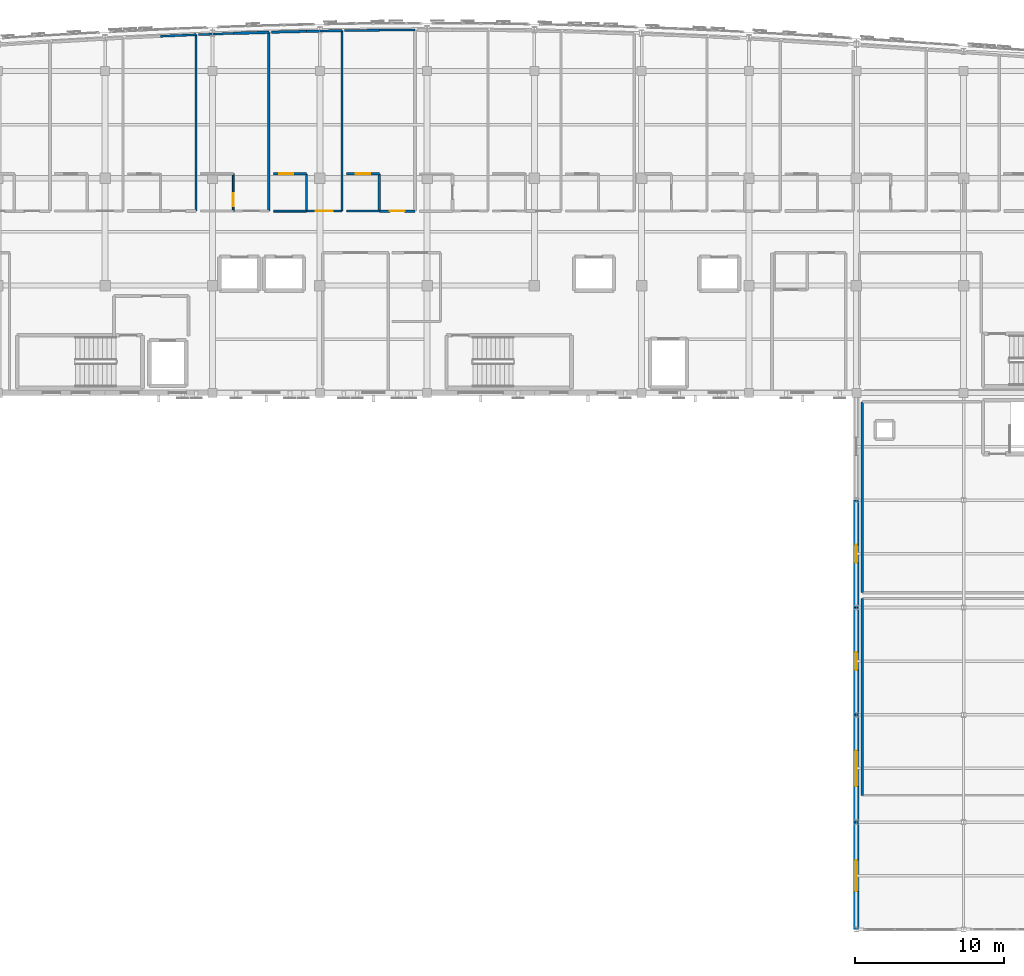
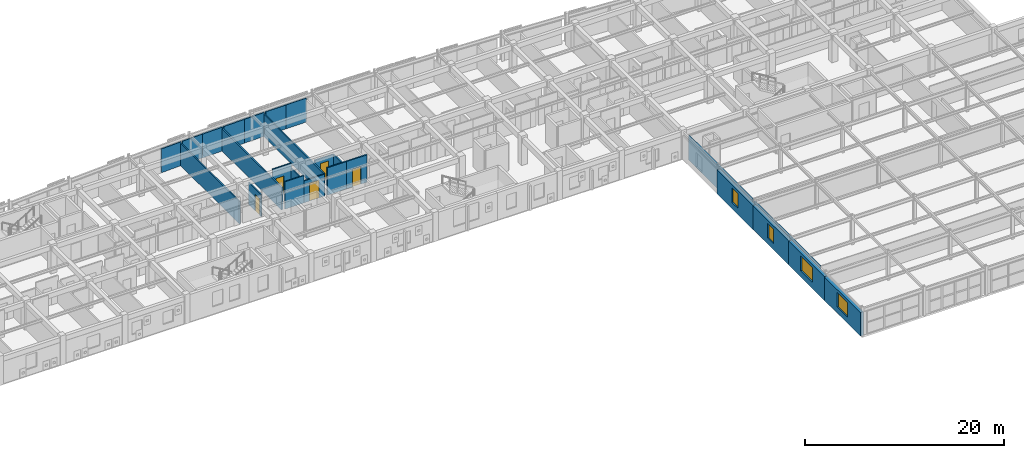
# One storey, part 61 of 73: 25 walls, 5 doors, 4 windows, 9 openings.
"""IFC4 building model written with IfcOpenShell, lengths in metres."""

from ifc_helpers import new_model, si_unit, direction, frame, frame_2d, origin, place, context, subcontext, project, spatial, rectangle, extrude, material, layer, layer_set, type_object, element, fill, save


model = new_model("IFC4")

# Units and contexts
model_context = context("Model", 3, precision=1e-05, world=origin(), true_north=direction((0.0, 1.0)))
body_context = subcontext(model_context, "Body", "Model", "MODEL_VIEW")
ifc_project = project(units=[si_unit("LENGTHUNIT", "METRE"), si_unit("AREAUNIT", "SQUARE_METRE"), si_unit("VOLUMEUNIT", "CUBIC_METRE"), si_unit("PLANEANGLEUNIT", "RADIAN"), si_unit("MASSUNIT", "GRAM", prefix="KILO")], contexts=[model_context])

# Site, building, storey
site_placement = place(None, origin())
site = spatial("IfcSite", under=ifc_project, at=site_placement, CompositionType="ELEMENT")
building_placement = place(site_placement, origin())
building = spatial("IfcBuilding", under=site, at=building_placement, Name="Carrowvane Square Congress Hotel", CompositionType="ELEMENT")
storey_placement = place(building_placement, frame((0.0, 0.0, 19.199951171875)))
storey = spatial("IfcBuildingStorey", under=building, at=storey_placement, Name="L04", CompositionType="ELEMENT", Elevation=19.199951171875)

# Wall, opening, window
ifc_material_1 = material(Name="Glazed terracotta rainscreen", Category="masonry")
ifc_layer_1 = layer(ifc_material_1, 0.360107421875)
ifc_layer_set_1 = layer_set([ifc_layer_1], Name="Glazed terracotta rainscreen")
wall_type_1 = type_object("IfcWallType", Name="WL-EXT-TC360", PredefinedType="STANDARD", material=ifc_layer_set_1)
wall_1_placement = place(storey_placement, frame((126.800048828125, 55.800048828125, 0.0), z_axis=(0.0, 0.0, 1.0), x_axis=(0.0, 1.0, 0.0)))
wall_1 = element("IfcWall", 1, at=wall_1_placement, inside=storey, type_object=wall_type_1, Name="L04 exterior facade wall 433", PredefinedType="STANDARD", context=body_context, shape_type="SweptSolid", body=[
    extrude(rectangle(XDim=7.199951171875, YDim=0.360107421875, at=frame_2d((3.60009765625, 0.0))), origin(), (0.0, 0.0, 1.0), 2.875),
])
opening_1_placement = place(wall_1_placement, frame((2.550048828125, 0.0, 0.75)))
opening_1 = element("IfcOpeningElement", 2, at=opening_1_placement, cuts=wall_1, Name="Opening W-06", PredefinedType="OPENING", context=body_context, shape_type="SweptSolid", body=[
    extrude(rectangle(XDim=2.10009765625, YDim=1.800048828125, at=frame_2d((1.050048828125, 0.89990234375))), frame((0.0, 0.18994140625, 0.0), z_axis=(0.0, -1.0, 0.0), x_axis=(1.0, 0.0, 0.0)), (0.0, 0.0, 1.0), 0.380126953125),
])
ifc_material_2 = material(Name="Double-glazed low-E glass", Category="glass")
window_type_1 = type_object("IfcWindowType", Name="WIN-06", PartitioningType="SINGLE_PANEL", PredefinedType="WINDOW", material=ifc_material_2)
window_1_placement = place(opening_1_placement, origin())
window_1 = element("IfcWindow", 3, at=window_1_placement, inside=storey, type_object=window_type_1, Name="L04 facade window 260", OverallHeight=1.800048828125, OverallWidth=2.10009765625, PartitioningType="SINGLE_PANEL", PredefinedType="WINDOW", context=body_context, shape_type="SweptSolid", body=[
    extrude(rectangle(XDim=2.10009765625, YDim=1.800048828125, at=frame_2d((1.050048828125, 0.89990234375))), frame((0.0, 0.030029296875, 0.0), z_axis=(0.0, -1.0, 0.0), x_axis=(1.0, 0.0, 0.0)), (0.0, 0.0, 1.0), 0.06005859375),
])
fill(opening_1, window_1)

wall_2_placement = place(storey_placement, frame((126.800048828125, 63.0, 0.0), z_axis=(0.0, 0.0, 1.0), x_axis=(0.0, 1.0, 0.0)))
wall_2 = element("IfcWall", 4, at=wall_2_placement, inside=storey, type_object=wall_type_1, Name="L04 exterior facade wall 434", PredefinedType="STANDARD", context=body_context, shape_type="SweptSolid", body=[
    extrude(rectangle(XDim=7.199951171875, YDim=0.360107421875, at=frame_2d((3.60009765625, 0.0))), origin(), (0.0, 0.0, 1.0), 2.925537109375),
])
opening_2_placement = place(wall_2_placement, frame((2.39990234375, 0.0, 0.75)))
opening_2 = element("IfcOpeningElement", 5, at=opening_2_placement, cuts=wall_2, Name="Opening W-07", PredefinedType="OPENING", context=body_context, shape_type="SweptSolid", body=[
    extrude(rectangle(XDim=2.39990234375, YDim=1.800048828125, at=frame_2d((1.199951171875, 0.89990234375))), frame((0.0, 0.18994140625, 0.0), z_axis=(0.0, -1.0, 0.0), x_axis=(1.0, 0.0, 0.0)), (0.0, 0.0, 1.0), 0.380126953125),
])
ifc_material_3 = material(Name="Double-glazed low-E glass", Category="glass")
window_type_2 = type_object("IfcWindowType", Name="WIN-07", PartitioningType="SINGLE_PANEL", PredefinedType="WINDOW", material=ifc_material_3)
window_2_placement = place(opening_2_placement, origin())
window_2 = element("IfcWindow", 6, at=window_2_placement, inside=storey, type_object=window_type_2, Name="L04 facade window 261", OverallHeight=1.800048828125, OverallWidth=2.39990234375, PartitioningType="SINGLE_PANEL", PredefinedType="WINDOW", context=body_context, shape_type="SweptSolid", body=[
    extrude(rectangle(XDim=2.39990234375, YDim=1.800048828125, at=frame_2d((1.199951171875, 0.89990234375))), frame((0.0, 0.030029296875, 0.0), z_axis=(0.0, -1.0, 0.0), x_axis=(1.0, 0.0, 0.0)), (0.0, 0.0, 1.0), 0.06005859375),
])
fill(opening_2, window_2)

wall_3_placement = place(storey_placement, frame((126.800048828125, 70.199951171875, 0.0), z_axis=(0.0, 0.0, 1.0), x_axis=(0.0, 1.0, 0.0)))
wall_3 = element("IfcWall", 7, at=wall_3_placement, inside=storey, type_object=wall_type_1, Name="L04 exterior facade wall 435", PredefinedType="STANDARD", context=body_context, shape_type="SweptSolid", body=[
    extrude(rectangle(XDim=7.199951171875, YDim=0.360107421875, at=frame_2d((3.60009765625, 0.0))), origin(), (0.0, 0.0, 1.0), 2.925537109375),
])
opening_3_placement = place(wall_3_placement, frame((3.0, 0.0, 0.75)))
opening_3 = element("IfcOpeningElement", 8, at=opening_3_placement, cuts=wall_3, Name="Opening W-01", PredefinedType="OPENING", context=body_context, shape_type="SweptSolid", body=[
    extrude(rectangle(XDim=1.199951171875, YDim=1.800048828125, at=frame_2d((0.60009765625, 0.89990234375))), frame((0.0, 0.18994140625, 0.0), z_axis=(0.0, -1.0, 0.0), x_axis=(1.0, 0.0, 0.0)), (0.0, 0.0, 1.0), 0.380126953125),
])
ifc_material_4 = material(Name="Double-glazed low-E glass", Category="glass")
window_type_3 = type_object("IfcWindowType", Name="WIN-01", PartitioningType="SINGLE_PANEL", PredefinedType="WINDOW", material=ifc_material_4)
window_3_placement = place(opening_3_placement, origin())
window_3 = element("IfcWindow", 9, at=window_3_placement, inside=storey, type_object=window_type_3, Name="L04 facade window 262", OverallHeight=1.800048828125, OverallWidth=1.199951171875, PartitioningType="SINGLE_PANEL", PredefinedType="WINDOW", context=body_context, shape_type="SweptSolid", body=[
    extrude(rectangle(XDim=1.199951171875, YDim=1.800048828125, at=frame_2d((0.60009765625, 0.89990234375))), frame((0.0, 0.030029296875, 0.0), z_axis=(0.0, -1.0, 0.0), x_axis=(1.0, 0.0, 0.0)), (0.0, 0.0, 1.0), 0.06005859375),
])
fill(opening_3, window_3)

wall_4_placement = place(storey_placement, frame((126.800048828125, 77.39990234375, 0.0), z_axis=(0.0, 0.0, 1.0), x_axis=(0.0, 1.0, 0.0)))
wall_4 = element("IfcWall", 10, at=wall_4_placement, inside=storey, type_object=wall_type_1, Name="L04 exterior facade wall 436", PredefinedType="STANDARD", context=body_context, shape_type="SweptSolid", body=[
    extrude(rectangle(XDim=7.2001953125, YDim=0.360107421875, at=frame_2d((3.60009765625, 0.0))), origin(), (0.0, 0.0, 1.0), 2.925537109375),
])
opening_4_placement = place(wall_4_placement, frame((3.0, 0.0, 0.75)))
opening_4 = element("IfcOpeningElement", 11, at=opening_4_placement, cuts=wall_4, Name="Opening W-01", PredefinedType="OPENING", context=body_context, shape_type="SweptSolid", body=[
    extrude(rectangle(XDim=1.199951171875, YDim=1.800048828125, at=frame_2d((0.60009765625, 0.89990234375))), frame((0.0, 0.18994140625, 0.0), z_axis=(0.0, -1.0, 0.0), x_axis=(1.0, 0.0, 0.0)), (0.0, 0.0, 1.0), 0.380126953125),
])
window_4_placement = place(opening_4_placement, origin())
window_4 = element("IfcWindow", 12, at=window_4_placement, inside=storey, type_object=window_type_3, Name="L04 facade window 263", OverallHeight=1.800048828125, OverallWidth=1.199951171875, PartitioningType="SINGLE_PANEL", PredefinedType="WINDOW", context=body_context, shape_type="SweptSolid", body=[
    extrude(rectangle(XDim=1.199951171875, YDim=1.800048828125, at=frame_2d((0.60009765625, 0.89990234375))), frame((0.0, 0.030029296875, 0.0), z_axis=(0.0, -1.0, 0.0), x_axis=(1.0, 0.0, 0.0)), (0.0, 0.0, 1.0), 0.06005859375),
])
fill(opening_4, window_4)

# Walls
ifc_material_5 = material(Name="Acoustic gypsum board", Category="gypsum")
ifc_layer_2 = layer(ifc_material_5, 0.155029296875)
ifc_layer_set_2 = layer_set([ifc_layer_2], Name="Acoustic gypsum board")
wall_type_2 = type_object("IfcWallType", Name="WL-FIR-155", PredefinedType="PARTITIONING", material=ifc_layer_set_2)
wall_5_placement = place(storey_placement, frame((89.919921875, 116.059814453125, 0.0), z_axis=(0.0, 0.0, 1.0), x_axis=(0.999826238158, 0.018641177287, 0.0)))
element("IfcWall", 13, at=wall_5_placement, inside=storey, type_object=wall_type_2, Name="L04 Parkview Guest Bedroom 0414 partition", PredefinedType="PARTITIONING", context=body_context, shape_type="SweptSolid", body=[
    extrude(rectangle(XDim=2.37060546875, YDim=0.155029296875, at=frame_2d((1.185302734375, 0.0))), origin(), (0.0, 0.0, 1.0), 2.925537109375),
])
wall_6_placement = place(storey_placement, frame((94.800048828125, 106.5, 0.0), z_axis=(0.0, 0.0, 1.0), x_axis=(0.0, -1.0, 0.0)))
element("IfcWall", 14, at=wall_6_placement, inside=storey, type_object=wall_type_2, Name="L04 En-suite Bathroom 0415 partition", PredefinedType="PARTITIONING", context=body_context, shape_type="SweptSolid", body=[
    extrude(rectangle(XDim=2.5, YDim=0.155029296875, at=frame_2d((1.25, 0.0))), origin(), (0.0, 0.0, 1.0), 2.735107421875),
])
wall_7_placement = place(storey_placement, frame((127.199951171875, 78.39990234375, 0.0), z_axis=(0.0, 0.0, 1.0), x_axis=(0.0, 1.0, 0.0)))
element("IfcWall", 15, at=wall_7_placement, inside=storey, type_object=wall_type_2, Name="L04 Sky Bar Tapas Kitchen and Cellar partition", PredefinedType="PARTITIONING", context=body_context, shape_type="SweptSolid", body=[
    extrude(rectangle(XDim=12.800048828125, YDim=0.155029296875, at=frame_2d((6.39990234375, 0.0))), origin(), (0.0, 0.0, 1.0), 2.925537109375),
])
ifc_material_6 = material(Name="Acoustic gypsum board", Category="gypsum")
ifc_layer_3 = layer(ifc_material_6, 0.169921875)
ifc_layer_set_3 = layer_set([ifc_layer_3], Name="Acoustic gypsum board")
wall_type_3 = type_object("IfcWallType", Name="WL-FIR-170", PredefinedType="PARTITIONING", material=ifc_layer_set_3)
wall_8_placement = place(storey_placement, frame((87.389892578125, 115.996826171875, 0.0), z_axis=(0.0, 0.0, 1.0), x_axis=(0.0, -1.0, 0.0)))
element("IfcWall", 16, at=wall_8_placement, inside=storey, type_object=wall_type_3, Name="L04 Parkview Guest Bedroom 0413 partition", PredefinedType="PARTITIONING", context=body_context, shape_type="SweptSolid", body=[
    extrude(rectangle(XDim=11.996826171875, YDim=0.169921875, at=frame_2d((5.99853515625, 0.0))), origin(), (0.0, 0.0, 1.0), 2.735107421875),
])
wall_9_placement = place(storey_placement, frame((87.550048828125, 116.001220703125, 0.0), z_axis=(0.0, 0.0, 1.0), x_axis=(0.999694491448, 0.024716872149, 0.0)))
element("IfcWall", 17, at=wall_9_placement, inside=storey, type_object=wall_type_3, Name="L04 Parkview Guest Bedroom 0414 partition", PredefinedType="PARTITIONING", context=body_context, shape_type="SweptSolid", body=[
    extrude(rectangle(XDim=2.37060546875, YDim=0.169921875, at=frame_2d((1.185302734375, 0.0))), origin(), (0.0, 0.0, 1.0), 2.925537109375),
])

# Wall, opening, door
wall_10_placement = place(storey_placement, frame((92.60009765625, 106.5, 0.0), z_axis=(0.0, 0.0, 1.0), x_axis=(1.0, 0.0, 0.0)))
wall_10 = element("IfcWall", 18, at=wall_10_placement, inside=storey, type_object=wall_type_3, Name="L04 En-suite Bathroom 0415 partition", PredefinedType="PARTITIONING", context=body_context, shape_type="SweptSolid", body=[
    extrude(rectangle(XDim=2.199951171875, YDim=0.169921875, at=frame_2d((1.10009765625, 0.0))), origin(), (0.0, 0.0, 1.0), 2.735107421875),
])
opening_5_placement = place(wall_10_placement, frame((0.6201171875, 0.0, 0.0)))
opening_5 = element("IfcOpeningElement", 19, at=opening_5_placement, cuts=wall_10, Name="Opening ID-05", PredefinedType="OPENING", context=body_context, shape_type="SweptSolid", body=[
    extrude(rectangle(XDim=0.9599609375, YDim=2.139892578125, at=frame_2d((0.47998046875, 1.06982421875))), frame((0.0, 0.094970703125, 0.0), z_axis=(0.0, -1.0, 0.0), x_axis=(1.0, 0.0, 0.0)), (0.0, 0.0, 1.0), 0.18994140625),
])
ifc_material_7 = material(Name="European oak timber", Category="wood")
door_type_1 = type_object("IfcDoorType", Name="DR-INT-0960x2140", OperationType="NOTDEFINED", PredefinedType="DOOR", material=ifc_material_7)
door_1_placement = place(opening_5_placement, origin())
door_1 = element("IfcDoor", 20, at=door_1_placement, inside=storey, type_object=door_type_1, Name="L04 En-suite Bathroom 0415 door", OperationType="SINGLE_SWING_LEFT", OverallHeight=2.139892578125, OverallWidth=0.9599609375, PredefinedType="DOOR", context=body_context, shape_type="SweptSolid", body=[
    extrude(rectangle(XDim=0.9599609375, YDim=2.139892578125, at=frame_2d((0.47998046875, 1.06982421875))), frame((0.0, 0.02490234375, 0.0), z_axis=(0.0, -1.0, 0.0), x_axis=(1.0, 0.0, 0.0)), (0.0, 0.0, 1.0), 0.050048828125),
])
fill(opening_5, door_1)

wall_11_placement = place(storey_placement, frame((97.18994140625, 104.0, 0.0), z_axis=(0.0, 0.0, 1.0), x_axis=(-1.0, 0.0, 0.0)))
wall_11 = element("IfcWall", 21, at=wall_11_placement, inside=storey, type_object=wall_type_3, Name="L04 Parkview Guest Bedroom 0415 partition", PredefinedType="PARTITIONING", context=body_context, shape_type="SweptSolid", body=[
    extrude(rectangle(XDim=2.3798828125, YDim=0.169921875, at=frame_2d((1.18994140625, 0.0))), origin(), (0.0, 0.0, 1.0), 3.35009765625),
])
opening_6_placement = place(wall_11_placement, frame((0.699951171875, 0.0, 0.0)))
opening_6 = element("IfcOpeningElement", 22, at=opening_6_placement, cuts=wall_11, Name="Opening FD-07", PredefinedType="OPENING", context=body_context, shape_type="SweptSolid", body=[
    extrude(rectangle(XDim=0.97998046875, YDim=2.14990234375, at=frame_2d((0.489990234375, 1.074951171875))), frame((0.0, 0.094970703125, 0.0), z_axis=(0.0, -1.0, 0.0), x_axis=(1.0, 0.0, 0.0)), (0.0, 0.0, 1.0), 0.18994140625),
])
ifc_material_8 = material(Name="European oak timber", Category="wood")
door_type_2 = type_object("IfcDoorType", Name="DR-FD30-0980x2150", OperationType="NOTDEFINED", PredefinedType="DOOR", material=ifc_material_8)
door_2_placement = place(opening_6_placement, origin())
door_2 = element("IfcDoor", 23, at=door_2_placement, inside=storey, type_object=door_type_2, Name="L04 Parkview Guest Bedroom 0415 entrance door", OperationType="SINGLE_SWING_RIGHT", OverallHeight=2.14990234375, OverallWidth=0.97998046875, PredefinedType="DOOR", context=body_context, shape_type="SweptSolid", body=[
    extrude(rectangle(XDim=0.97998046875, YDim=2.14990234375, at=frame_2d((0.489990234375, 1.074951171875))), frame((0.0, 0.02490234375, 0.0), z_axis=(0.0, -1.0, 0.0), x_axis=(1.0, 0.0, 0.0)), (0.0, 0.0, 1.0), 0.050048828125),
])
fill(opening_6, door_2)

# Wall
ifc_material_9 = material(Name="Acoustic gypsum board", Category="gypsum")
ifc_layer_4 = layer(ifc_material_9, 0.18505859375)
ifc_layer_set_4 = layer_set([ifc_layer_4], Name="Acoustic gypsum board")
wall_type_4 = type_object("IfcWallType", Name="WL-FIR-185", PredefinedType="PARTITIONING", material=ifc_layer_set_4)
wall_12_placement = place(storey_placement, frame((85.02001953125, 115.923095703125, 0.0), z_axis=(0.0, 0.0, 1.0), x_axis=(0.999516386188, 0.031096522986, 0.0)))
element("IfcWall", 24, at=wall_12_placement, inside=storey, type_object=wall_type_4, Name="L04 Parkview Guest Bedroom 0413 partition", PredefinedType="PARTITIONING", context=body_context, shape_type="SweptSolid", body=[
    extrude(rectangle(XDim=2.37109375, YDim=0.18505859375, at=frame_2d((1.185546875, 0.0))), origin(), (0.0, 0.0, 1.0), 2.925537109375),
])

# Wall, opening, door
ifc_material_10 = material(Name="Acoustic gypsum board", Category="gypsum")
ifc_layer_5 = layer(ifc_material_10, 0.117919921875)
ifc_layer_set_5 = layer_set([ifc_layer_5], Name="Acoustic gypsum board")
wall_type_5 = type_object("IfcWallType", Name="WL-PRT-118", PredefinedType="PARTITIONING", material=ifc_layer_set_5)
wall_13_placement = place(storey_placement, frame((85.0, 106.5, 0.0), z_axis=(0.0, 0.0, 1.0), x_axis=(0.0, -1.0, 0.0)))
wall_13 = element("IfcWall", 25, at=wall_13_placement, inside=storey, type_object=wall_type_5, Name="L04 En-suite Bathroom 0413 partition", PredefinedType="PARTITIONING", context=body_context, shape_type="SweptSolid", body=[
    extrude(rectangle(XDim=2.5, YDim=0.117919921875, at=frame_2d((1.25, 0.0))), origin(), (0.0, 0.0, 1.0), 2.735107421875),
])
opening_7_placement = place(wall_13_placement, frame((1.31005859375, 0.0, 0.0)))
opening_7 = element("IfcOpeningElement", 26, at=opening_7_placement, cuts=wall_13, Name="Opening ID-01", PredefinedType="OPENING", context=body_context, shape_type="SweptSolid", body=[
    extrude(rectangle(XDim=0.8798828125, YDim=2.06005859375, at=frame_2d((0.43994140625, 1.030029296875))), frame((0.0, 0.06884765625, 0.0), z_axis=(0.0, -1.0, 0.0), x_axis=(1.0, 0.0, 0.0)), (0.0, 0.0, 1.0), 0.137939453125),
])
ifc_material_11 = material(Name="European oak timber", Category="wood")
door_type_3 = type_object("IfcDoorType", Name="DR-INT-0880x2060", OperationType="NOTDEFINED", PredefinedType="DOOR", material=ifc_material_11)
door_3_placement = place(opening_7_placement, origin())
door_3 = element("IfcDoor", 27, at=door_3_placement, inside=storey, type_object=door_type_3, Name="L04 En-suite Bathroom 0413 door", OperationType="SINGLE_SWING_LEFT", OverallHeight=2.06005859375, OverallWidth=0.8798828125, PredefinedType="DOOR", context=body_context, shape_type="SweptSolid", body=[
    extrude(rectangle(XDim=0.8798828125, YDim=2.06005859375, at=frame_2d((0.43994140625, 1.030029296875))), frame((0.0, 0.02490234375, 0.0), z_axis=(0.0, -1.0, 0.0), x_axis=(1.0, 0.0, 0.0)), (0.0, 0.0, 1.0), 0.050048828125),
])
fill(opening_7, door_3)

# Walls
ifc_material_12 = material(Name="Acoustic gypsum board", Category="gypsum")
ifc_layer_6 = layer(ifc_material_12, 0.1279296875)
ifc_layer_set_6 = layer_set([ifc_layer_6], Name="Acoustic gypsum board")
wall_type_6 = type_object("IfcWallType", Name="WL-PRT-128", PredefinedType="PARTITIONING", material=ifc_layer_set_6)
wall_14_placement = place(storey_placement, frame((89.89990234375, 104.0, 0.0), z_axis=(0.0, 0.0, 1.0), x_axis=(-1.0, 0.0, 0.0)))
element("IfcWall", 28, at=wall_14_placement, inside=storey, type_object=wall_type_6, Name="L04 En-suite Bathroom 0414 partition", PredefinedType="PARTITIONING", context=body_context, shape_type="SweptSolid", body=[
    extrude(rectangle(XDim=2.199951171875, YDim=0.1279296875, at=frame_2d((1.10009765625, 0.0))), origin(), (0.0, 0.0, 1.0), 3.35009765625),
])
ifc_material_13 = material(Name="Acoustic gypsum board", Category="gypsum")
ifc_layer_7 = layer(ifc_material_13, 0.137939453125)
ifc_layer_set_7 = layer_set([ifc_layer_7], Name="Acoustic gypsum board")
wall_type_7 = type_object("IfcWallType", Name="WL-PRT-138", PredefinedType="PARTITIONING", material=ifc_layer_set_7)
wall_15_placement = place(storey_placement, frame((82.489990234375, 115.829345703125, 0.0), z_axis=(0.0, 0.0, 1.0), x_axis=(0.0, -1.0, 0.0)))
element("IfcWall", 29, at=wall_15_placement, inside=storey, type_object=wall_type_7, Name="L04 Parkview Guest Bedroom 0412 partition", PredefinedType="PARTITIONING", context=body_context, shape_type="SweptSolid", body=[
    extrude(rectangle(XDim=11.829345703125, YDim=0.137939453125, at=frame_2d((5.91455078125, 0.0))), origin(), (0.0, 0.0, 1.0), 2.735107421875),
])
wall_16_placement = place(storey_placement, frame((82.64990234375, 115.8359375, 0.0), z_axis=(0.0, 0.0, 1.0), x_axis=(0.999324529016, 0.036748955177, 0.0)))
element("IfcWall", 30, at=wall_16_placement, inside=storey, type_object=wall_type_7, Name="L04 Parkview Guest Bedroom 0413 partition", PredefinedType="PARTITIONING", context=body_context, shape_type="SweptSolid", body=[
    extrude(rectangle(XDim=2.371826171875, YDim=0.137939453125, at=frame_2d((1.18603515625, 0.0))), origin(), (0.0, 0.0, 1.0), 2.925537109375),
])
wall_17_placement = place(storey_placement, frame((89.89990234375, 106.5, 0.0), z_axis=(0.0, 0.0, 1.0), x_axis=(0.0, -1.0, 0.0)))
element("IfcWall", 31, at=wall_17_placement, inside=storey, type_object=wall_type_7, Name="L04 En-suite Bathroom 0414 partition", PredefinedType="PARTITIONING", context=body_context, shape_type="SweptSolid", body=[
    extrude(rectangle(XDim=2.5, YDim=0.137939453125, at=frame_2d((1.25, 0.0))), origin(), (0.0, 0.0, 1.0), 2.735107421875),
])

# Wall, opening, door
wall_18_placement = place(storey_placement, frame((92.2900390625, 104.0, 0.0), z_axis=(0.0, 0.0, 1.0), x_axis=(-1.0, 0.0, 0.0)))
wall_18 = element("IfcWall", 32, at=wall_18_placement, inside=storey, type_object=wall_type_7, Name="L04 Parkview Guest Bedroom 0414 partition", PredefinedType="PARTITIONING", context=body_context, shape_type="SweptSolid", body=[
    extrude(rectangle(XDim=2.380126953125, YDim=0.137939453125, at=frame_2d((1.18994140625, 0.0))), origin(), (0.0, 0.0, 1.0), 2.68505859375),
])
opening_8_placement = place(wall_18_placement, frame((0.6298828125, 0.0, 0.0)))
opening_8 = element("IfcOpeningElement", 33, at=opening_8_placement, cuts=wall_18, Name="Opening FD-10", PredefinedType="OPENING", context=body_context, shape_type="SweptSolid", body=[
    extrude(rectangle(XDim=1.1201171875, YDim=2.199951171875, at=frame_2d((0.56005859375, 1.10009765625))), frame((0.0, 0.078857421875, 0.0), z_axis=(0.0, -1.0, 0.0), x_axis=(1.0, 0.0, 0.0)), (0.0, 0.0, 1.0), 0.157958984375),
])
ifc_material_14 = material(Name="European oak timber", Category="wood")
door_type_4 = type_object("IfcDoorType", Name="DR-FD30-1120x2200", OperationType="NOTDEFINED", PredefinedType="DOOR", material=ifc_material_14)
door_4_placement = place(opening_8_placement, origin())
door_4 = element("IfcDoor", 34, at=door_4_placement, inside=storey, type_object=door_type_4, Name="L04 Parkview Guest Bedroom 0414 entrance door", OperationType="SINGLE_SWING_RIGHT", OverallHeight=2.199951171875, OverallWidth=1.1201171875, PredefinedType="DOOR", context=body_context, shape_type="SweptSolid", body=[
    extrude(rectangle(XDim=1.1201171875, YDim=2.199951171875, at=frame_2d((0.56005859375, 1.10009765625))), frame((0.0, 0.02490234375, 0.0), z_axis=(0.0, -1.0, 0.0), x_axis=(1.0, 0.0, 0.0)), (0.0, 0.0, 1.0), 0.050048828125),
])
fill(opening_8, door_4)

# Walls
wall_19_placement = place(storey_placement, frame((94.820068359375, 116.134521484375, 0.0), z_axis=(0.0, 0.0, 1.0), x_axis=(0.999985094657, 0.005459895953, 0.0)))
element("IfcWall", 35, at=wall_19_placement, inside=storey, type_object=wall_type_7, Name="L04 Parkview Guest Bedroom 0415 partition", PredefinedType="PARTITIONING", context=body_context, shape_type="SweptSolid", body=[
    extrude(rectangle(XDim=2.369873046875, YDim=0.137939453125, at=frame_2d((1.18505859375, 0.0))), origin(), (0.0, 0.0, 1.0), 2.925537109375),
])
ifc_material_15 = material(Name="Acoustic gypsum board", Category="gypsum")
ifc_layer_8 = layer(ifc_material_15, 0.14794921875)
ifc_layer_set_8 = layer_set([ifc_layer_8], Name="Acoustic gypsum board")
wall_type_8 = type_object("IfcWallType", Name="WL-PRT-148", PredefinedType="PARTITIONING", material=ifc_layer_set_8)
wall_20_placement = place(storey_placement, frame((80.1201171875, 115.728515625, 0.0), z_axis=(0.0, 0.0, 1.0), x_axis=(0.999096119718, 0.042508158797, 0.0)))
element("IfcWall", 36, at=wall_20_placement, inside=storey, type_object=wall_type_8, Name="L04 Parkview Guest Bedroom 0412 partition", PredefinedType="PARTITIONING", context=body_context, shape_type="SweptSolid", body=[
    extrude(rectangle(XDim=2.3720703125, YDim=0.14794921875, at=frame_2d((1.18603515625, 0.0))), origin(), (0.0, 0.0, 1.0), 2.925537109375),
])

# Wall, opening, door
wall_21_placement = place(storey_placement, frame((87.699951171875, 106.5, 0.0), z_axis=(0.0, 0.0, 1.0), x_axis=(1.0, 0.0, 0.0)))
wall_21 = element("IfcWall", 37, at=wall_21_placement, inside=storey, type_object=wall_type_8, Name="L04 En-suite Bathroom 0414 partition", PredefinedType="PARTITIONING", context=body_context, shape_type="SweptSolid", body=[
    extrude(rectangle(XDim=2.199951171875, YDim=0.14794921875, at=frame_2d((1.10009765625, 0.0))), origin(), (0.0, 0.0, 1.0), 3.35009765625),
])
opening_9_placement = place(wall_21_placement, frame((0.389892578125, 0.0, 0.0)))
opening_9 = element("IfcOpeningElement", 38, at=opening_9_placement, cuts=wall_21, Name="Opening ID-03", PredefinedType="OPENING", context=body_context, shape_type="SweptSolid", body=[
    extrude(rectangle(XDim=0.919921875, YDim=2.10009765625, at=frame_2d((0.4599609375, 1.050048828125))), frame((0.0, 0.083984375, 0.0), z_axis=(0.0, -1.0, 0.0), x_axis=(1.0, 0.0, 0.0)), (0.0, 0.0, 1.0), 0.16796875),
])
ifc_material_16 = material(Name="European oak timber", Category="wood")
door_type_5 = type_object("IfcDoorType", Name="DR-INT-0920x2100", OperationType="NOTDEFINED", PredefinedType="DOOR", material=ifc_material_16)
door_5_placement = place(opening_9_placement, origin())
door_5 = element("IfcDoor", 39, at=door_5_placement, inside=storey, type_object=door_type_5, Name="L04 En-suite Bathroom 0414 door", OperationType="SINGLE_SWING_LEFT", OverallHeight=2.10009765625, OverallWidth=0.919921875, PredefinedType="DOOR", context=body_context, shape_type="SweptSolid", body=[
    extrude(rectangle(XDim=0.919921875, YDim=2.10009765625, at=frame_2d((0.4599609375, 1.050048828125))), frame((0.0, 0.02490234375, 0.0), z_axis=(0.0, -1.0, 0.0), x_axis=(1.0, 0.0, 0.0)), (0.0, 0.0, 1.0), 0.050048828125),
])
fill(opening_9, door_5)

# Walls
wall_22_placement = place(storey_placement, frame((92.2900390625, 116.10400390625, 0.0), z_axis=(0.0, 0.0, 1.0), x_axis=(0.0, -1.0, 0.0)))
element("IfcWall", 40, at=wall_22_placement, inside=storey, type_object=wall_type_8, Name="L04 Parkview Guest Bedroom 0414 partition", PredefinedType="PARTITIONING", context=body_context, shape_type="SweptSolid", body=[
    extrude(rectangle(XDim=12.10400390625, YDim=0.14794921875, at=frame_2d((6.052001953125, 0.0))), origin(), (0.0, 0.0, 1.0), 2.735107421875),
])
wall_23_placement = place(storey_placement, frame((94.800048828125, 104.0, 0.0), z_axis=(0.0, 0.0, 1.0), x_axis=(-1.0, 0.0, 0.0)))
element("IfcWall", 41, at=wall_23_placement, inside=storey, type_object=wall_type_8, Name="L04 En-suite Bathroom 0415 partition", PredefinedType="PARTITIONING", context=body_context, shape_type="SweptSolid", body=[
    extrude(rectangle(XDim=2.199951171875, YDim=0.14794921875, at=frame_2d((1.10009765625, 0.0))), origin(), (0.0, 0.0, 1.0), 3.35009765625),
])
wall_24_placement = place(storey_placement, frame((92.449951171875, 116.1064453125, 0.0), z_axis=(0.0, 0.0, 1.0), x_axis=(0.999929844707, 0.011845069236, 0.0)))
element("IfcWall", 42, at=wall_24_placement, inside=storey, type_object=wall_type_8, Name="L04 Parkview Guest Bedroom 0415 partition", PredefinedType="PARTITIONING", context=body_context, shape_type="SweptSolid", body=[
    extrude(rectangle(XDim=2.370361328125, YDim=0.14794921875, at=frame_2d((1.18505859375, 0.0))), origin(), (0.0, 0.0, 1.0), 2.925537109375),
])
wall_25_placement = place(storey_placement, frame((127.199951171875, 64.800048828125, 0.0), z_axis=(0.0, 0.0, 1.0), x_axis=(0.0, 1.0, 0.0)))
element("IfcWall", 43, at=wall_25_placement, inside=storey, type_object=wall_type_8, Name="L04 Carrowvane Rooftop Sky Bar and Lounge partition", PredefinedType="PARTITIONING", context=body_context, shape_type="SweptSolid", body=[
    extrude(rectangle(XDim=13.199951171875, YDim=0.14794921875, at=frame_2d((6.60009765625, 0.0))), origin(), (0.0, 0.0, 1.0), 2.925537109375),
])

save(model, "model.ifc")
